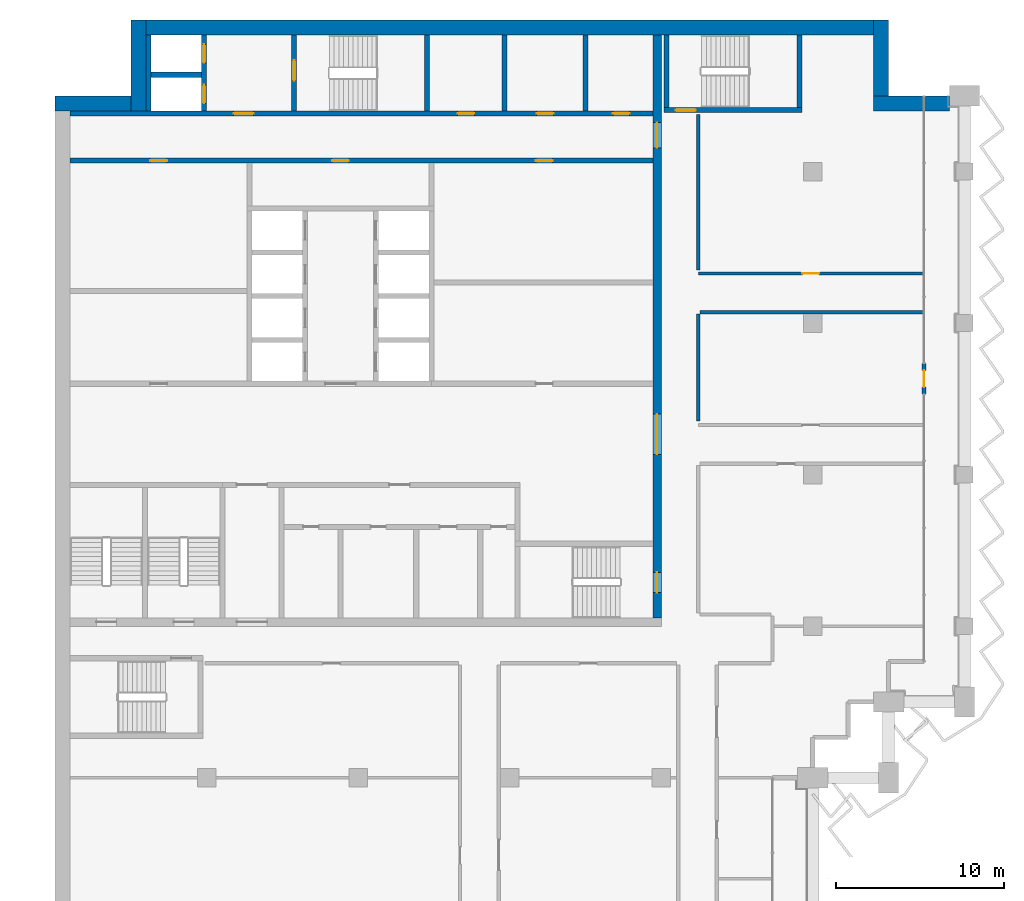
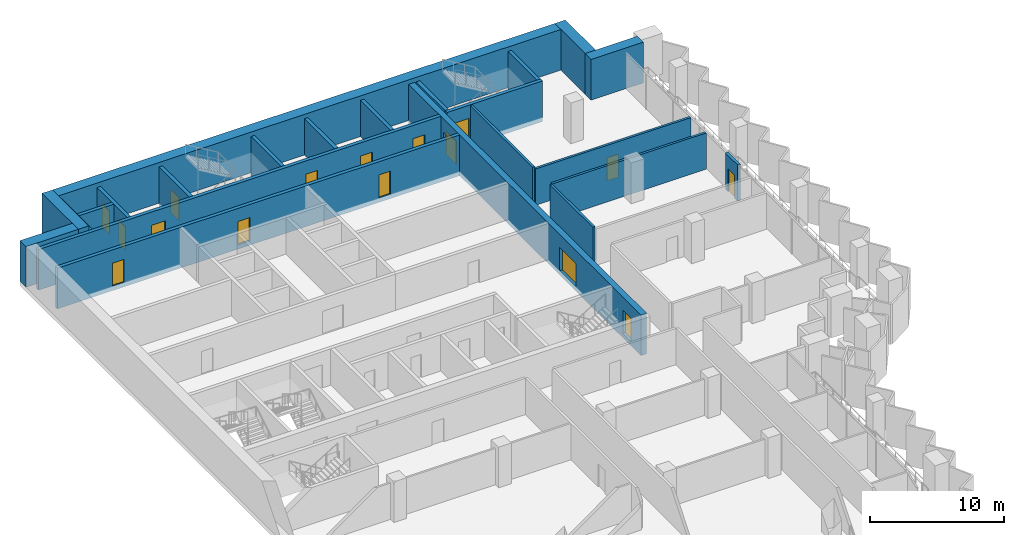
# One storey, part 10 of 17: 23 walls, 16 doors, 16 openings.
"""IFC4 building model written with IfcOpenShell, lengths in metres."""

from ifc_helpers import new_model, si_unit, direction, frame, frame_2d, origin, place, context, subcontext, project, spatial, rectangle, extrude, material, layer, layer_set, type_object, element, fill, save


model = new_model("IFC4")

# Units and contexts
model_context = context("Model", 3, precision=1e-05, world=origin(), true_north=direction((0.0, 1.0)))
body_context = subcontext(model_context, "Body", "Model", "MODEL_VIEW")
ifc_project = project(units=[si_unit("LENGTHUNIT", "METRE"), si_unit("AREAUNIT", "SQUARE_METRE"), si_unit("VOLUMEUNIT", "CUBIC_METRE"), si_unit("PLANEANGLEUNIT", "RADIAN"), si_unit("MASSUNIT", "GRAM", prefix="KILO")], contexts=[model_context])

# Site, building, storey
site_placement = place(None, origin())
site = spatial("IfcSite", under=ifc_project, at=site_placement, CompositionType="ELEMENT")
building_placement = place(site_placement, origin())
building = spatial("IfcBuilding", under=site, at=building_placement, Name="Hunhe Ridgeline Campus", CompositionType="ELEMENT")
storey_placement = place(building_placement, frame((0.0, 0.0, 193.89990234375)))
storey = spatial("IfcBuildingStorey", under=building, at=storey_placement, Name="L49", CompositionType="ELEMENT", Elevation=193.89990234375)

# Walls
ifc_material_1 = material(Name="Masonry concrete blockwork", Category="masonry")
ifc_layer_1 = layer(ifc_material_1, 0.300048828125)
ifc_layer_set_1 = layer_set([ifc_layer_1], Name="Core room partition 300 concrete block")
wall_type_1 = type_object("IfcWallType", Name="Core room partition 300 concrete block", PredefinedType="PARTITIONING", material=ifc_layer_set_1)
for number, where, z_axis, x_axis, name in (
    (1, (26.699951171875, 93.60009765625, 0.0), (0.0, 0.0, 1.0), (0.0, 1.0, 0.0), "L49 core partition 47"),
    (2, (31.5, 93.60009765625, 0.0), (0.0, 0.0, 1.0), (0.0, 1.0, 0.0), "L49 core partition 50"),
):
    element("IfcWall", number, at=place(storey_placement, frame(where, z_axis=z_axis, x_axis=x_axis)), inside=storey, type_object=wall_type_1, Name=name, PredefinedType="PARTITIONING", context=body_context, shape_type="SweptSolid", body=[
        extrude(rectangle(XDim=4.5, YDim=0.300048828125, at=frame_2d((2.25, 0.0))), origin(), (0.0, 0.0, 1.0), 3.300048828125),
    ])

# Wall, openings, doors
ifc_material_2 = material(Name="Concrete C60", Category="concrete")
ifc_layer_2 = layer(ifc_material_2, 0.5)
ifc_layer_set_2 = layer_set([ifc_layer_2], Name="Core wall 500 reinforced concrete C60")
wall_type_2 = type_object("IfcWallType", Name="Core wall 500 reinforced concrete C60", PredefinedType="SOLIDWALL", material=ifc_layer_set_2)
wall_1_placement = place(storey_placement, frame((35.75, 63.5, -0.39990234375), z_axis=(0.0, 0.0, 1.0), x_axis=(0.0, 1.0, 0.0)))
wall_1 = element("IfcWall", 3, at=wall_1_placement, inside=storey, type_object=wall_type_2, Name="L49 core wall 51", PredefinedType="SOLIDWALL", context=body_context, shape_type="SweptSolid", body=[
    extrude(rectangle(XDim=34.60009765625, YDim=0.5, at=frame_2d((17.300048828125, 0.0))), origin(), (0.0, 0.0, 1.0), 3.699951171875),
])
opening_1_placement = place(wall_1_placement, frame((9.699951171875, 0.0, 0.39990234375)))
opening_1 = element("IfcOpeningElement", 4, at=opening_1_placement, cuts=wall_1, Name="Opening CD4", PredefinedType="OPENING", context=body_context, shape_type="SweptSolid", body=[
    extrude(rectangle(XDim=2.39990234375, YDim=2.10009765625, at=frame_2d((1.199951171875, 1.050048828125))), frame((0.0, 0.25, 0.0), z_axis=(0.0, -1.0, 0.0), x_axis=(1.0, 0.0, 0.0)), (0.0, 0.0, 1.0), 0.5),
])
opening_2_placement = place(wall_1_placement, frame((27.89990234375, 0.0, 0.39990234375)))
opening_2 = element("IfcOpeningElement", 5, at=opening_2_placement, cuts=wall_1, Name="Opening CD5", PredefinedType="OPENING", context=body_context, shape_type="SweptSolid", body=[
    extrude(rectangle(XDim=1.5, YDim=2.10009765625, at=frame_2d((0.75, 1.050048828125))), frame((0.0, 0.25, 0.0), z_axis=(0.0, -1.0, 0.0), x_axis=(1.0, 0.0, 0.0)), (0.0, 0.0, 1.0), 0.5),
])
opening_3_placement = place(wall_1_placement, frame((1.5, 0.0, 0.39990234375)))
opening_3 = element("IfcOpeningElement", 6, at=opening_3_placement, cuts=wall_1, Name="Opening CD15", PredefinedType="OPENING", context=body_context, shape_type="SweptSolid", body=[
    extrude(rectangle(XDim=1.199951171875, YDim=2.10009765625, at=frame_2d((0.60009765625, 1.050048828125))), frame((0.0, 0.25, 0.0), z_axis=(0.0, -1.0, 0.0), x_axis=(1.0, 0.0, 0.0)), (0.0, 0.0, 1.0), 0.5),
])
ifc_material_3 = material(Name="Anodised aluminium and glass", Category="aluminium")
door_type_1 = type_object("IfcDoorType", Name="Glazed double door 2400x2100", OperationType="DOUBLE_DOOR_SINGLE_SWING", PredefinedType="DOOR", material=ifc_material_3)
door_1_placement = place(opening_1_placement, frame((2.39990234375, 0.0, 0.0), z_axis=(0.0, 0.0, 1.0), x_axis=(-1.0, 0.0, 0.0)))
door_1 = element("IfcDoor", 7, at=door_1_placement, inside=storey, type_object=door_type_1, Name="L49 door HALL-FLOOR", OperationType="DOUBLE_DOOR_SINGLE_SWING", OverallHeight=2.10009765625, OverallWidth=2.39990234375, PredefinedType="DOOR", context=body_context, shape_type="SweptSolid", body=[
    extrude(rectangle(XDim=2.39990234375, YDim=2.10009765625, at=frame_2d((1.199951171875, 1.050048828125))), frame((0.0, 0.02490234375, 0.0), z_axis=(0.0, -1.0, 0.0), x_axis=(1.0, 0.0, 0.0)), (0.0, 0.0, 1.0), 0.050048828125),
])
fill(opening_1, door_1)
ifc_material_4 = material(Name="Hollow metal fire door leaf")
door_type_2 = type_object("IfcDoorType", Name="Stair door 1200x2100 FD60", OperationType="SINGLE_SWING_LEFT", PredefinedType="DOOR", material=ifc_material_4)
door_2_placement = place(opening_3_placement, frame((1.199951171875, 0.0, 0.0), z_axis=(0.0, 0.0, 1.0), x_axis=(-1.0, 0.0, 0.0)))
door_2 = element("IfcDoor", 8, at=door_2_placement, inside=storey, type_object=door_type_2, Name="L49 door S2-FLOOR", OperationType="SINGLE_SWING_LEFT", OverallHeight=2.10009765625, OverallWidth=1.199951171875, PredefinedType="DOOR", context=body_context, shape_type="SweptSolid", body=[
    extrude(rectangle(XDim=1.199951171875, YDim=2.10009765625, at=frame_2d((0.60009765625, 1.050048828125))), frame((0.0, 0.02490234375, 0.0), z_axis=(0.0, -1.0, 0.0), x_axis=(1.0, 0.0, 0.0)), (0.0, 0.0, 1.0), 0.050048828125),
])
fill(opening_3, door_2)
ifc_material_5 = material(Name="Solid core timber door leaf", Category="wood")
door_type_3 = type_object("IfcDoorType", Name="Timber door 1500x2100", OperationType="SINGLE_SWING_LEFT", PredefinedType="DOOR", material=ifc_material_5)
door_3_placement = place(opening_2_placement, frame((1.5, 0.0, 0.0), z_axis=(0.0, 0.0, 1.0), x_axis=(-1.0, 0.0, 0.0)))
door_3 = element("IfcDoor", 9, at=door_3_placement, inside=storey, type_object=door_type_3, Name="L49 door C1-FLOOR", OperationType="SINGLE_SWING_LEFT", OverallHeight=2.10009765625, OverallWidth=1.5, PredefinedType="DOOR", context=body_context, shape_type="SweptSolid", body=[
    extrude(rectangle(XDim=1.5, YDim=2.10009765625, at=frame_2d((0.75, 1.050048828125))), frame((0.0, 0.02490234375, 0.0), z_axis=(0.0, -1.0, 0.0), x_axis=(1.0, 0.0, 0.0)), (0.0, 0.0, 1.0), 0.050048828125),
])
fill(opening_2, door_3)

# Wall
ifc_material_6 = material(Name="Gypsum board partition")
ifc_layer_3 = layer(ifc_material_6, 0.199951171875)
ifc_layer_set_3 = layer_set([ifc_layer_3], Name="Corridor partition 200 gypsum board on steel studs")
wall_type_3 = type_object("IfcWallType", Name="Corridor partition 200 gypsum board on steel studs", PredefinedType="PARTITIONING", material=ifc_layer_set_3)
wall_2_placement = place(storey_placement, frame((51.544921875, 81.64990234375, 0.0), z_axis=(0.0, 0.0, 1.0), x_axis=(-1.0, 0.0, 0.0)))
element("IfcWall", 10, at=wall_2_placement, inside=storey, type_object=wall_type_3, Name="F-L49-wall-034", PredefinedType="PARTITIONING", context=body_context, shape_type="SweptSolid", body=[
    extrude(rectangle(XDim=13.244873046875, YDim=0.199951171875, at=frame_2d((6.62255859375, 0.0))), origin(), (0.0, 0.0, 1.0), 3.300048828125),
])

# Wall, opening, door
wall_3_placement = place(storey_placement, frame((38.199951171875, 83.949951171875, 0.0), z_axis=(0.0, 0.0, 1.0), x_axis=(1.0, 0.0, 0.0)))
wall_3 = element("IfcWall", 11, at=wall_3_placement, inside=storey, type_object=wall_type_3, Name="F-L49-wall-035", PredefinedType="PARTITIONING", context=body_context, shape_type="SweptSolid", body=[
    extrude(rectangle(XDim=13.344970703125, YDim=0.199951171875, at=frame_2d((6.67236328125, 0.0))), origin(), (0.0, 0.0, 1.0), 3.300048828125),
])
opening_4_placement = place(wall_3_placement, frame((6.172607421875, 0.0, 0.0)))
opening_4 = element("IfcOpeningElement", 12, at=opening_4_placement, cuts=wall_3, Name="Opening RD1-018", PredefinedType="OPENING", context=body_context, shape_type="SweptSolid", body=[
    extrude(rectangle(XDim=1.0, YDim=2.10009765625, at=frame_2d((0.5, 1.050048828125))), frame((0.0, 0.10009765625, 0.0), z_axis=(0.0, -1.0, 0.0), x_axis=(1.0, 0.0, 0.0)), (0.0, 0.0, 1.0), 0.199951171875),
])
ifc_material_7 = material(Name="Timber door leaf", Category="wood")
door_type_4 = type_object("IfcDoorType", Name="Single fire door 1000x2100 timber FD60", OperationType="NOTDEFINED", PredefinedType="DOOR", material=ifc_material_7)
door_4_placement = place(opening_4_placement, origin())
door_4 = element("IfcDoor", 13, at=door_4_placement, inside=storey, type_object=door_type_4, Name="F-L49-door-018", OperationType="SINGLE_SWING_LEFT", OverallHeight=2.10009765625, OverallWidth=1.0, PredefinedType="DOOR", context=body_context, shape_type="SweptSolid", body=[
    extrude(rectangle(XDim=1.0, YDim=2.10009765625, at=frame_2d((0.5, 1.050048828125))), frame((0.0, 0.02490234375, 0.0), z_axis=(0.0, -1.0, 0.0), x_axis=(1.0, 0.0, 0.0)), (0.0, 0.0, 1.0), 0.050048828125),
])
fill(opening_4, door_4)

# Walls
wall_4_placement = place(storey_placement, frame((38.199951171875, 81.550048828125, 0.0), z_axis=(0.0, 0.0, 1.0), x_axis=(0.0, -1.0, 0.0)))
element("IfcWall", 14, at=wall_4_placement, inside=storey, type_object=wall_type_3, Name="F-L49-wall-045", PredefinedType="PARTITIONING", context=body_context, shape_type="SweptSolid", body=[
    extrude(rectangle(XDim=6.37060546875, YDim=0.199951171875, at=frame_2d((3.185302734375, 0.0))), origin(), (0.0, 0.0, 1.0), 3.300048828125),
])
wall_5_placement = place(storey_placement, frame((38.199951171875, 93.39599609375, 0.0), z_axis=(0.0, 0.0, 1.0), x_axis=(0.0, -1.0, 0.0)))
element("IfcWall", 15, at=wall_5_placement, inside=storey, type_object=wall_type_3, Name="F-L49-wall-046", PredefinedType="PARTITIONING", context=body_context, shape_type="SweptSolid", body=[
    extrude(rectangle(XDim=9.232421875, YDim=0.199951171875, at=frame_2d((4.6162109375, 0.0))), origin(), (0.0, 0.0, 1.0), 3.300048828125),
])

# Wall, openings, doors
ifc_layer_4 = layer(ifc_material_2, 0.300048828125)
ifc_layer_set_4 = layer_set([ifc_layer_4], Name="Lobby wall 300 reinforced concrete C60")
wall_type_4 = type_object("IfcWallType", Name="Lobby wall 300 reinforced concrete C60", PredefinedType="SOLIDWALL", material=ifc_layer_set_4)
wall_6_placement = place(storey_placement, frame((0.89990234375, 90.64990234375, -0.39990234375), z_axis=(0.0, 0.0, 1.0), x_axis=(1.0, 0.0, 0.0)))
wall_6 = element("IfcWall", 16, at=wall_6_placement, inside=storey, type_object=wall_type_4, Name="L49 core wall 23", PredefinedType="SOLIDWALL", context=body_context, shape_type="SweptSolid", body=[
    extrude(rectangle(XDim=34.60009765625, YDim=0.300048828125, at=frame_2d((17.300048828125, 0.0))), origin(), (0.0, 0.0, 1.0), 3.699951171875),
])
opening_5_placement = place(wall_6_placement, frame((15.550048828125, 0.0, 0.39990234375)))
opening_5 = element("IfcOpeningElement", 17, at=opening_5_placement, cuts=wall_6, Name="Opening CD26", PredefinedType="OPENING", context=body_context, shape_type="SweptSolid", body=[
    extrude(rectangle(XDim=1.0, YDim=2.10009765625, at=frame_2d((0.5, 1.050048828125))), frame((0.0, 0.14990234375, 0.0), z_axis=(0.0, -1.0, 0.0), x_axis=(1.0, 0.0, 0.0)), (0.0, 0.0, 1.0), 0.300048828125),
])
opening_6_placement = place(wall_6_placement, frame((4.75, 0.0, 0.39990234375)))
opening_6 = element("IfcOpeningElement", 18, at=opening_6_placement, cuts=wall_6, Name="Opening CD40", PredefinedType="OPENING", context=body_context, shape_type="SweptSolid", body=[
    extrude(rectangle(XDim=1.0, YDim=2.10009765625, at=frame_2d((0.5, 1.050048828125))), frame((0.0, 0.14990234375, 0.0), z_axis=(0.0, -1.0, 0.0), x_axis=(1.0, 0.0, 0.0)), (0.0, 0.0, 1.0), 0.300048828125),
])
opening_7_placement = place(wall_6_placement, frame((27.64990234375, 0.0, 0.39990234375)))
opening_7 = element("IfcOpeningElement", 19, at=opening_7_placement, cuts=wall_6, Name="Opening CD33", PredefinedType="OPENING", context=body_context, shape_type="SweptSolid", body=[
    extrude(rectangle(XDim=1.0, YDim=2.10009765625, at=frame_2d((0.5, 1.050048828125))), frame((0.0, 0.14990234375, 0.0), z_axis=(0.0, -1.0, 0.0), x_axis=(1.0, 0.0, 0.0)), (0.0, 0.0, 1.0), 0.300048828125),
])
door_type_5 = type_object("IfcDoorType", Name="Timber door 1000x2100", OperationType="SINGLE_SWING_LEFT", PredefinedType="DOOR", material=ifc_material_5)
door_5_placement = place(opening_5_placement, frame((1.0, 0.0, 0.0), z_axis=(0.0, 0.0, 1.0), x_axis=(-1.0, 0.0, 0.0)))
door_5 = element("IfcDoor", 20, at=door_5_placement, inside=storey, type_object=door_type_5, Name="L49 door NR-0", OperationType="SINGLE_SWING_LEFT", OverallHeight=2.10009765625, OverallWidth=1.0, PredefinedType="DOOR", context=body_context, shape_type="SweptSolid", body=[
    extrude(rectangle(XDim=1.0, YDim=2.10009765625, at=frame_2d((0.5, 1.050048828125))), frame((0.0, 0.02490234375, 0.0), z_axis=(0.0, -1.0, 0.0), x_axis=(1.0, 0.0, 0.0)), (0.0, 0.0, 1.0), 0.050048828125),
])
fill(opening_5, door_5)
door_6_placement = place(opening_6_placement, frame((1.0, 0.0, 0.0), z_axis=(0.0, 0.0, 1.0), x_axis=(-1.0, 0.0, 0.0)))
door_6 = element("IfcDoor", 21, at=door_6_placement, inside=storey, type_object=door_type_5, Name="L49 door VD-LR1", OperationType="SINGLE_SWING_LEFT", OverallHeight=2.10009765625, OverallWidth=1.0, PredefinedType="DOOR", context=body_context, shape_type="SweptSolid", body=[
    extrude(rectangle(XDim=1.0, YDim=2.10009765625, at=frame_2d((0.5, 1.050048828125))), frame((0.0, 0.02490234375, 0.0), z_axis=(0.0, -1.0, 0.0), x_axis=(1.0, 0.0, 0.0)), (0.0, 0.0, 1.0), 0.050048828125),
])
fill(opening_6, door_6)
door_7_placement = place(opening_7_placement, frame((1.0, 0.0, 0.0), z_axis=(0.0, 0.0, 1.0), x_axis=(-1.0, 0.0, 0.0)))
door_7 = element("IfcDoor", 22, at=door_7_placement, inside=storey, type_object=door_type_5, Name="L49 door ES1", OperationType="SINGLE_SWING_RIGHT", OverallHeight=2.10009765625, OverallWidth=1.0, PredefinedType="DOOR", context=body_context, shape_type="SweptSolid", body=[
    extrude(rectangle(XDim=1.0, YDim=2.10009765625, at=frame_2d((0.5, 1.050048828125))), frame((0.0, 0.02490234375, 0.0), z_axis=(0.0, -1.0, 0.0), x_axis=(1.0, 0.0, 0.0)), (0.0, 0.0, 1.0), 0.050048828125),
])
fill(opening_7, door_7)

# Wall, opening, door
ifc_material_8 = material(Name="Concrete C30", Category="concrete")
ifc_layer_5 = layer(ifc_material_8, 0.25)
ifc_layer_set_5 = layer_set([ifc_layer_5], Name="Loggia door pier wall 250 Concrete C30")
wall_type_5 = type_object("IfcWallType", Name="Loggia door pier wall 250 Concrete C30", PredefinedType="SOLIDWALL", material=ifc_layer_set_5)
wall_7_placement = place(storey_placement, frame((51.59912109375, 76.800537109375, 0.0), z_axis=(0.0, 0.0, 1.0), x_axis=(0.0, 1.0, 0.0)))
wall_7 = element("IfcWall", 23, at=wall_7_placement, inside=storey, type_object=wall_type_5, Name="Loggia door pier 3", PredefinedType="SOLIDWALL", context=body_context, shape_type="SweptSolid", body=[
    extrude(rectangle(XDim=1.800048828125, YDim=0.25, at=frame_2d((0.89990234375, 0.0))), origin(), (0.0, 0.0, 1.0), 3.300048828125),
])
opening_8_placement = place(wall_7_placement, frame((0.39990234375, 0.0, 0.0)))
opening_8 = element("IfcOpeningElement", 24, at=opening_8_placement, cuts=wall_7, Name="Opening BD406", PredefinedType="OPENING", context=body_context, shape_type="SweptSolid", body=[
    extrude(rectangle(XDim=1.0, YDim=2.10009765625, at=frame_2d((0.5, 1.050048828125))), frame((0.0, 0.125, 0.0), z_axis=(0.0, -1.0, 0.0), x_axis=(1.0, 0.0, 0.0)), (0.0, 0.0, 1.0), 0.25),
])
ifc_material_9 = material(Name="Aluminium 6063", Category="aluminium")
door_type_6 = type_object("IfcDoorType", Name="Loggia glazed door 1000x2100", OperationType="NOTDEFINED", PredefinedType="DOOR", material=ifc_material_9)
door_8_placement = place(opening_8_placement, frame((1.0, 0.0, 0.0), z_axis=(0.0, 0.0, 1.0), x_axis=(-1.0, 0.0, 0.0)))
door_8 = element("IfcDoor", 25, at=door_8_placement, inside=storey, type_object=door_type_6, Name="Loggia door BD406", OperationType="SINGLE_SWING_LEFT", OverallHeight=2.10009765625, OverallWidth=1.0, PredefinedType="DOOR", context=body_context, shape_type="SweptSolid", body=[
    extrude(rectangle(XDim=1.0, YDim=2.10009765625, at=frame_2d((0.5, 1.050048828125))), frame((0.0, 0.02490234375, 0.0), z_axis=(0.0, -1.0, 0.0), x_axis=(1.0, 0.0, 0.0)), (0.0, 0.0, 1.0), 0.050048828125),
])
fill(opening_8, door_8)

# Wall, openings, doors
ifc_layer_6 = layer(ifc_material_2, 0.300048828125)
ifc_layer_set_6 = layer_set([ifc_layer_6], Name="Shaft wall 300 reinforced concrete C60")
wall_type_6 = type_object("IfcWallType", Name="Shaft wall 300 reinforced concrete C60", PredefinedType="SOLIDWALL", material=ifc_layer_set_6)
wall_8_placement = place(storey_placement, frame((0.89990234375, 93.449951171875, -0.39990234375), z_axis=(0.0, 0.0, 1.0), x_axis=(1.0, 0.0, 0.0)))
wall_8 = element("IfcWall", 26, at=wall_8_placement, inside=storey, type_object=wall_type_6, Name="L49 core wall 24", PredefinedType="SOLIDWALL", context=body_context, shape_type="SweptSolid", body=[
    extrude(rectangle(XDim=34.60009765625, YDim=0.300048828125, at=frame_2d((17.300048828125, 0.0))), origin(), (0.0, 0.0, 1.0), 3.699951171875),
])
opening_9_placement = place(wall_8_placement, frame((9.699951171875, 0.0, 0.39990234375)))
opening_9 = element("IfcOpeningElement", 27, at=opening_9_placement, cuts=wall_8, Name="Opening CD3", PredefinedType="OPENING", context=body_context, shape_type="SweptSolid", body=[
    extrude(rectangle(XDim=1.199951171875, YDim=2.10009765625, at=frame_2d((0.60009765625, 1.050048828125))), frame((0.0, 0.14990234375, 0.0), z_axis=(0.0, -1.0, 0.0), x_axis=(1.0, 0.0, 0.0)), (0.0, 0.0, 1.0), 0.300048828125),
])
opening_10_placement = place(wall_8_placement, frame((23.0, 0.0, 0.39990234375)))
opening_10 = element("IfcOpeningElement", 28, at=opening_10_placement, cuts=wall_8, Name="Opening CD34", PredefinedType="OPENING", context=body_context, shape_type="SweptSolid", body=[
    extrude(rectangle(XDim=1.0, YDim=2.10009765625, at=frame_2d((0.5, 1.050048828125))), frame((0.0, 0.14990234375, 0.0), z_axis=(0.0, -1.0, 0.0), x_axis=(1.0, 0.0, 0.0)), (0.0, 0.0, 1.0), 0.300048828125),
])
opening_11_placement = place(wall_8_placement, frame((27.699951171875, 0.0, 0.39990234375)))
opening_11 = element("IfcOpeningElement", 29, at=opening_11_placement, cuts=wall_8, Name="Opening CD35", PredefinedType="OPENING", context=body_context, shape_type="SweptSolid", body=[
    extrude(rectangle(XDim=1.0, YDim=2.10009765625, at=frame_2d((0.5, 1.050048828125))), frame((0.0, 0.14990234375, 0.0), z_axis=(0.0, -1.0, 0.0), x_axis=(1.0, 0.0, 0.0)), (0.0, 0.0, 1.0), 0.300048828125),
])
opening_12_placement = place(wall_8_placement, frame((32.22509765625, 0.0, 0.39990234375)))
opening_12 = element("IfcOpeningElement", 30, at=opening_12_placement, cuts=wall_8, Name="Opening CD36", PredefinedType="OPENING", context=body_context, shape_type="SweptSolid", body=[
    extrude(rectangle(XDim=1.0, YDim=2.10009765625, at=frame_2d((0.5, 1.050048828125))), frame((0.0, 0.14990234375, 0.0), z_axis=(0.0, -1.0, 0.0), x_axis=(1.0, 0.0, 0.0)), (0.0, 0.0, 1.0), 0.300048828125),
])
door_type_7 = type_object("IfcDoorType", Name="Lobby door 1200x2100 FD60", OperationType="SINGLE_SWING_LEFT", PredefinedType="DOOR", material=ifc_material_4)
door_9_placement = place(opening_9_placement, frame((1.199951171875, 0.0, 0.0), z_axis=(0.0, 0.0, 1.0), x_axis=(-1.0, 0.0, 0.0)))
door_9 = element("IfcDoor", 31, at=door_9_placement, inside=storey, type_object=door_type_7, Name="L49 door FF-C1", OperationType="SINGLE_SWING_RIGHT", OverallHeight=2.10009765625, OverallWidth=1.199951171875, PredefinedType="DOOR", context=body_context, shape_type="SweptSolid", body=[
    extrude(rectangle(XDim=1.199951171875, YDim=2.10009765625, at=frame_2d((0.60009765625, 1.050048828125))), frame((0.0, 0.02490234375, 0.0), z_axis=(0.0, -1.0, 0.0), x_axis=(1.0, 0.0, 0.0)), (0.0, 0.0, 1.0), 0.050048828125),
])
fill(opening_9, door_9)
door_10_placement = place(opening_10_placement, origin())
door_10 = element("IfcDoor", 32, at=door_10_placement, inside=storey, type_object=door_type_5, Name="L49 door NB0", OperationType="SINGLE_SWING_RIGHT", OverallHeight=2.10009765625, OverallWidth=1.0, PredefinedType="DOOR", context=body_context, shape_type="SweptSolid", body=[
    extrude(rectangle(XDim=1.0, YDim=2.10009765625, at=frame_2d((0.5, 1.050048828125))), frame((0.0, 0.02490234375, 0.0), z_axis=(0.0, -1.0, 0.0), x_axis=(1.0, 0.0, 0.0)), (0.0, 0.0, 1.0), 0.050048828125),
])
fill(opening_10, door_10)
door_11_placement = place(opening_11_placement, origin())
door_11 = element("IfcDoor", 33, at=door_11_placement, inside=storey, type_object=door_type_5, Name="L49 door NB1", OperationType="SINGLE_SWING_LEFT", OverallHeight=2.10009765625, OverallWidth=1.0, PredefinedType="DOOR", context=body_context, shape_type="SweptSolid", body=[
    extrude(rectangle(XDim=1.0, YDim=2.10009765625, at=frame_2d((0.5, 1.050048828125))), frame((0.0, 0.02490234375, 0.0), z_axis=(0.0, -1.0, 0.0), x_axis=(1.0, 0.0, 0.0)), (0.0, 0.0, 1.0), 0.050048828125),
])
fill(opening_11, door_11)
door_12_placement = place(opening_12_placement, origin())
door_12 = element("IfcDoor", 34, at=door_12_placement, inside=storey, type_object=door_type_5, Name="L49 door NB2", OperationType="SINGLE_SWING_RIGHT", OverallHeight=2.10009765625, OverallWidth=1.0, PredefinedType="DOOR", context=body_context, shape_type="SweptSolid", body=[
    extrude(rectangle(XDim=1.0, YDim=2.10009765625, at=frame_2d((0.5, 1.050048828125))), frame((0.0, 0.02490234375, 0.0), z_axis=(0.0, -1.0, 0.0), x_axis=(1.0, 0.0, 0.0)), (0.0, 0.0, 1.0), 0.050048828125),
])
fill(opening_12, door_12)

# Walls
wall_9_placement = place(storey_placement, frame((5.699951171875, 95.75, -0.39990234375), z_axis=(0.0, 0.0, 1.0), x_axis=(1.0, 0.0, 0.0)))
element("IfcWall", 35, at=wall_9_placement, inside=storey, type_object=wall_type_6, Name="L49 core wall 26", PredefinedType="SOLIDWALL", context=body_context, shape_type="SweptSolid", body=[
    extrude(rectangle(XDim=3.0, YDim=0.300048828125, at=frame_2d((1.5, 0.0))), origin(), (0.0, 0.0, 1.0), 3.699951171875),
])
wall_10_placement = place(storey_placement, frame((5.550048828125, 93.60009765625, -0.39990234375), z_axis=(0.0, 0.0, 1.0), x_axis=(0.0, 1.0, 0.0)))
element("IfcWall", 36, at=wall_10_placement, inside=storey, type_object=wall_type_6, Name="L49 core wall 28", PredefinedType="SOLIDWALL", context=body_context, shape_type="SweptSolid", body=[
    extrude(rectangle(XDim=4.5, YDim=0.300048828125, at=frame_2d((2.25, 0.0))), origin(), (0.0, 0.0, 1.0), 3.699951171875),
])

# Wall, openings, doors
wall_11_placement = place(storey_placement, frame((8.85009765625, 93.60009765625, -0.39990234375), z_axis=(0.0, 0.0, 1.0), x_axis=(0.0, 1.0, 0.0)))
wall_11 = element("IfcWall", 37, at=wall_11_placement, inside=storey, type_object=wall_type_6, Name="L49 core wall 31", PredefinedType="SOLIDWALL", context=body_context, shape_type="SweptSolid", body=[
    extrude(rectangle(XDim=4.5, YDim=0.300048828125, at=frame_2d((2.25, 0.0))), origin(), (0.0, 0.0, 1.0), 3.699951171875),
])
opening_13_placement = place(wall_11_placement, frame((0.449951171875, 0.0, 0.39990234375)))
opening_13 = element("IfcOpeningElement", 38, at=opening_13_placement, cuts=wall_11, Name="Opening LD-FF1", PredefinedType="OPENING", context=body_context, shape_type="SweptSolid", body=[
    extrude(rectangle(XDim=1.10009765625, YDim=2.10009765625, at=frame_2d((0.550048828125, 1.050048828125))), frame((0.0, 0.14990234375, 0.0), z_axis=(0.0, -1.0, 0.0), x_axis=(1.0, 0.0, 0.0)), (0.0, 0.0, 1.0), 0.300048828125),
])
opening_14_placement = place(wall_11_placement, frame((2.85009765625, 0.0, 0.39990234375)))
opening_14 = element("IfcOpeningElement", 39, at=opening_14_placement, cuts=wall_11, Name="Opening LD-FF2", PredefinedType="OPENING", context=body_context, shape_type="SweptSolid", body=[
    extrude(rectangle(XDim=1.10009765625, YDim=2.10009765625, at=frame_2d((0.550048828125, 1.050048828125))), frame((0.0, 0.14990234375, 0.0), z_axis=(0.0, -1.0, 0.0), x_axis=(1.0, 0.0, 0.0)), (0.0, 0.0, 1.0), 0.300048828125),
])
ifc_material_10 = material(Name="Stainless steel sliding leaves", Category="steel")
door_type_8 = type_object("IfcDoorType", Name="Landing door 1100x2100 FD120", OperationType="SLIDING_TO_LEFT", PredefinedType="DOOR", material=ifc_material_10)
door_13_placement = place(opening_13_placement, origin())
door_13 = element("IfcDoor", 40, at=door_13_placement, inside=storey, type_object=door_type_8, Name="L49 landing door FF1", OperationType="SLIDING_TO_RIGHT", OverallHeight=2.10009765625, OverallWidth=1.10009765625, PredefinedType="DOOR", context=body_context, shape_type="SweptSolid", body=[
    extrude(rectangle(XDim=1.10009765625, YDim=2.10009765625, at=frame_2d((0.550048828125, 1.050048828125))), frame((0.0, 0.02490234375, 0.0), z_axis=(0.0, -1.0, 0.0), x_axis=(1.0, 0.0, 0.0)), (0.0, 0.0, 1.0), 0.050048828125),
])
fill(opening_13, door_13)
door_14_placement = place(opening_14_placement, origin())
door_14 = element("IfcDoor", 41, at=door_14_placement, inside=storey, type_object=door_type_8, Name="L49 landing door FF2", OperationType="SLIDING_TO_LEFT", OverallHeight=2.10009765625, OverallWidth=1.10009765625, PredefinedType="DOOR", context=body_context, shape_type="SweptSolid", body=[
    extrude(rectangle(XDim=1.10009765625, YDim=2.10009765625, at=frame_2d((0.550048828125, 1.050048828125))), frame((0.0, 0.02490234375, 0.0), z_axis=(0.0, -1.0, 0.0), x_axis=(1.0, 0.0, 0.0)), (0.0, 0.0, 1.0), 0.050048828125),
])
fill(opening_14, door_14)

# Walls
ifc_layer_7 = layer(ifc_material_2, 0.89990234375)
ifc_layer_set_7 = layer_set([ifc_layer_7], Name="Spine wall 900 Concrete C60")
wall_type_7 = type_object("IfcWallType", Name="Spine wall 900 Concrete C60", PredefinedType="SHEAR", material=ifc_layer_set_7)
wall_12_placement = place(storey_placement, frame((53.10009765625, 94.050048828125, 0.0), z_axis=(0.0, 0.0, 1.0), x_axis=(-1.0, 0.0, 0.0)))
element("IfcWall", 42, at=wall_12_placement, inside=storey, type_object=wall_type_7, Name="Spine wall SW3-2 L49", PredefinedType="SHEAR", context=body_context, shape_type="SweptSolid", body=[
    extrude(rectangle(XDim=4.5, YDim=0.89990234375, at=frame_2d((2.25, 0.0))), origin(), (0.0, 0.0, 1.0), 3.7001953125),
])
wall_13_placement = place(storey_placement, frame((49.050048828125, 93.60009765625, 0.0), z_axis=(0.0, 0.0, 1.0), x_axis=(0.0, 1.0, 0.0)))
element("IfcWall", 43, at=wall_13_placement, inside=storey, type_object=wall_type_7, Name="Spine wall SW3-3 L49", PredefinedType="SHEAR", context=body_context, shape_type="SweptSolid", body=[
    extrude(rectangle(XDim=5.39990234375, YDim=0.89990234375, at=frame_2d((2.699951171875, 0.0))), origin(), (0.0, 0.0, 1.0), 3.7001953125),
])
wall_14_placement = place(storey_placement, frame((49.5, 98.550048828125, 0.0), z_axis=(0.0, 0.0, 1.0), x_axis=(-1.0, 0.0, 0.0)))
element("IfcWall", 44, at=wall_14_placement, inside=storey, type_object=wall_type_7, Name="Spine wall SW3-4 L49", PredefinedType="SHEAR", context=body_context, shape_type="SweptSolid", body=[
    extrude(rectangle(XDim=45.0, YDim=0.89990234375, at=frame_2d((22.5, 0.0))), origin(), (0.0, 0.0, 1.0), 3.7001953125),
])
for number, where, z_axis, x_axis, name in (
    (45, (4.949951171875, 99.0, 0.0), (0.0, 0.0, 1.0), (0.0, -1.0, 0.0), "Spine wall SW3-5 L49"),
    (46, (5.400146484375, 94.050048828125, 0.0), (0.0, 0.0, 1.0), (-1.0, 0.0, 0.0), "Spine wall SW3-6 L49"),
):
    element("IfcWall", number, at=place(storey_placement, frame(where, z_axis=z_axis, x_axis=x_axis)), inside=storey, type_object=wall_type_7, Name=name, PredefinedType="SHEAR", context=body_context, shape_type="SweptSolid", body=[
        extrude(rectangle(XDim=5.400146484375, YDim=0.89990234375, at=frame_2d((2.7001953125, 0.0))), origin(), (0.0, 0.0, 1.0), 3.7001953125),
    ])

# Wall, opening, door
ifc_layer_8 = layer(ifc_material_2, 0.300048828125)
ifc_layer_set_8 = layer_set([ifc_layer_8], Name="Stair wall 300 reinforced concrete C60")
wall_type_8 = type_object("IfcWallType", Name="Stair wall 300 reinforced concrete C60", PredefinedType="SOLIDWALL", material=ifc_layer_set_8)
wall_15_placement = place(storey_placement, frame((36.14990234375, 93.64990234375, -0.39990234375), z_axis=(0.0, 0.0, 1.0), x_axis=(1.0, 0.0, 0.0)))
wall_15 = element("IfcWall", 47, at=wall_15_placement, inside=storey, type_object=wall_type_8, Name="L49 core wall 25", PredefinedType="SOLIDWALL", context=body_context, shape_type="SweptSolid", body=[
    extrude(rectangle(XDim=8.2001953125, YDim=0.300048828125, at=frame_2d((4.10009765625, 0.0))), origin(), (0.0, 0.0, 1.0), 3.699951171875),
])
opening_15_placement = place(wall_15_placement, frame((0.699951171875, 0.0, 0.39990234375)))
opening_15 = element("IfcOpeningElement", 48, at=opening_15_placement, cuts=wall_15, Name="Opening CD17", PredefinedType="OPENING", context=body_context, shape_type="SweptSolid", body=[
    extrude(rectangle(XDim=1.199951171875, YDim=2.10009765625, at=frame_2d((0.60009765625, 1.050048828125))), frame((0.0, 0.14990234375, 0.0), z_axis=(0.0, -1.0, 0.0), x_axis=(1.0, 0.0, 0.0)), (0.0, 0.0, 1.0), 0.300048828125),
])
door_15_placement = place(opening_15_placement, frame((1.199951171875, 0.0, 0.0), z_axis=(0.0, 0.0, 1.0), x_axis=(-1.0, 0.0, 0.0)))
door_15 = element("IfcDoor", 49, at=door_15_placement, inside=storey, type_object=door_type_2, Name="L49 door E1", OperationType="SINGLE_SWING_LEFT", OverallHeight=2.10009765625, OverallWidth=1.199951171875, PredefinedType="DOOR", context=body_context, shape_type="SweptSolid", body=[
    extrude(rectangle(XDim=1.199951171875, YDim=2.10009765625, at=frame_2d((0.60009765625, 1.050048828125))), frame((0.0, 0.02490234375, 0.0), z_axis=(0.0, -1.0, 0.0), x_axis=(1.0, 0.0, 0.0)), (0.0, 0.0, 1.0), 0.050048828125),
])
fill(opening_15, door_15)

wall_16_placement = place(storey_placement, frame((14.199951171875, 93.60009765625, -0.39990234375), z_axis=(0.0, 0.0, 1.0), x_axis=(0.0, 1.0, 0.0)))
wall_16 = element("IfcWall", 50, at=wall_16_placement, inside=storey, type_object=wall_type_8, Name="L49 core wall 36", PredefinedType="SOLIDWALL", context=body_context, shape_type="SweptSolid", body=[
    extrude(rectangle(XDim=4.5, YDim=0.300048828125, at=frame_2d((2.25, 0.0))), origin(), (0.0, 0.0, 1.0), 3.699951171875),
])
opening_16_placement = place(wall_16_placement, frame((1.800048828125, 0.0, 0.39990234375)))
opening_16 = element("IfcOpeningElement", 51, at=opening_16_placement, cuts=wall_16, Name="Opening CD16", PredefinedType="OPENING", context=body_context, shape_type="SweptSolid", body=[
    extrude(rectangle(XDim=1.199951171875, YDim=2.10009765625, at=frame_2d((0.60009765625, 1.050048828125))), frame((0.0, 0.14990234375, 0.0), z_axis=(0.0, -1.0, 0.0), x_axis=(1.0, 0.0, 0.0)), (0.0, 0.0, 1.0), 0.300048828125),
])
door_16_placement = place(opening_16_placement, origin())
door_16 = element("IfcDoor", 52, at=door_16_placement, inside=storey, type_object=door_type_2, Name="L49 door S1-FF", OperationType="SINGLE_SWING_RIGHT", OverallHeight=2.10009765625, OverallWidth=1.199951171875, PredefinedType="DOOR", context=body_context, shape_type="SweptSolid", body=[
    extrude(rectangle(XDim=1.199951171875, YDim=2.10009765625, at=frame_2d((0.60009765625, 1.050048828125))), frame((0.0, 0.02490234375, 0.0), z_axis=(0.0, -1.0, 0.0), x_axis=(1.0, 0.0, 0.0)), (0.0, 0.0, 1.0), 0.050048828125),
])
fill(opening_16, door_16)

# Walls
wall_17_placement = place(storey_placement, frame((22.10009765625, 93.60009765625, -0.39990234375), z_axis=(0.0, 0.0, 1.0), x_axis=(0.0, 1.0, 0.0)))
element("IfcWall", 53, at=wall_17_placement, inside=storey, type_object=wall_type_8, Name="L49 core wall 42", PredefinedType="SOLIDWALL", context=body_context, shape_type="SweptSolid", body=[
    extrude(rectangle(XDim=4.5, YDim=0.300048828125, at=frame_2d((2.25, 0.0))), origin(), (0.0, 0.0, 1.0), 3.699951171875),
])
for number, where, z_axis, x_axis, name in (
    (54, (36.300048828125, 93.800048828125, -0.39990234375), (0.0, 0.0, 1.0), (0.0, 1.0, 0.0), "L49 core wall 52"),
    (55, (44.199951171875, 93.800048828125, -0.39990234375), (0.0, 0.0, 1.0), (0.0, 1.0, 0.0), "L49 core wall 53"),
):
    element("IfcWall", number, at=place(storey_placement, frame(where, z_axis=z_axis, x_axis=x_axis)), inside=storey, type_object=wall_type_8, Name=name, PredefinedType="SOLIDWALL", context=body_context, shape_type="SweptSolid", body=[
        extrude(rectangle(XDim=4.300048828125, YDim=0.300048828125, at=frame_2d((2.14990234375, 0.0))), origin(), (0.0, 0.0, 1.0), 3.699951171875),
    ])

save(model, "model.ifc")
